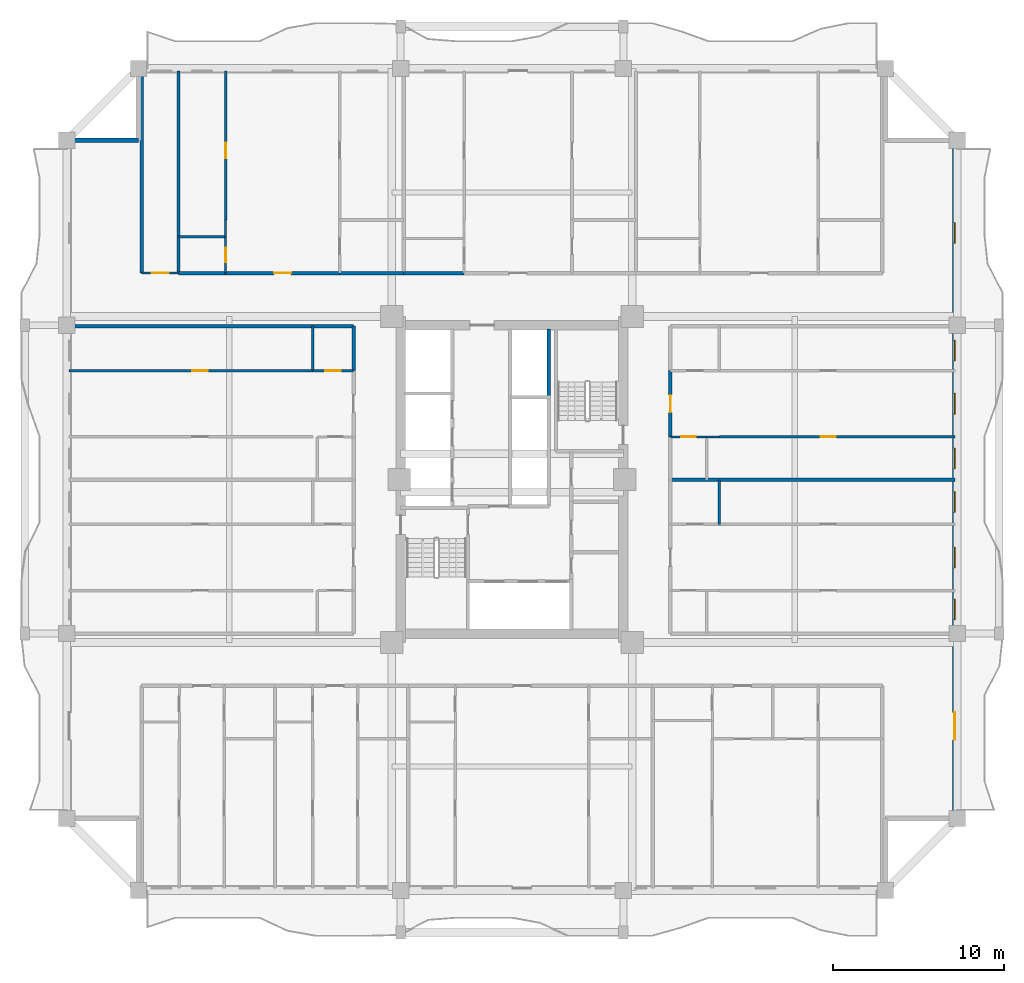
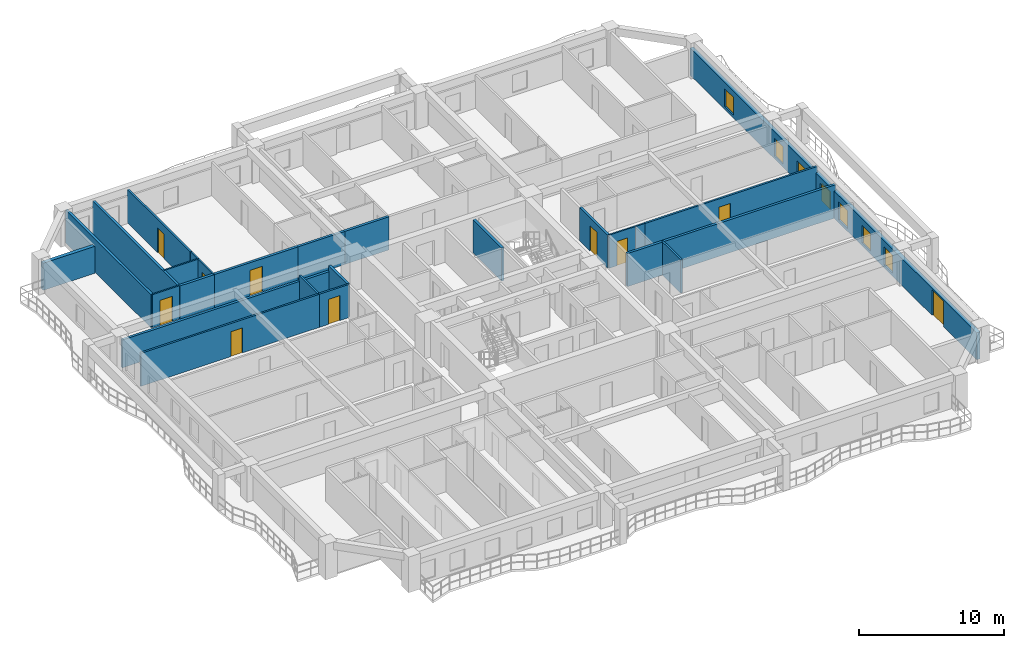
# One storey, part 6 of 15: 25 walls, 10 doors, 7 windows, 17 openings.
"""IFC4 building model written with IfcOpenShell, lengths in metres."""

from ifc_helpers import new_model, si_unit, direction, frame, frame_2d, origin, place, context, subcontext, project, spatial, rectangle, extrude, source, transform, mapped, material, layer, layer_set, type_object, element, fill, save


model = new_model("IFC4")

# Units and contexts
model_context = context("Model", 3, precision=1e-05, world=origin(), true_north=direction((0.0, 1.0)))
body_context = subcontext(model_context, "Body", "Model", "MODEL_VIEW")
ifc_project = project(units=[si_unit("LENGTHUNIT", "METRE"), si_unit("AREAUNIT", "SQUARE_METRE"), si_unit("VOLUMEUNIT", "CUBIC_METRE"), si_unit("PLANEANGLEUNIT", "RADIAN"), si_unit("MASSUNIT", "GRAM", prefix="KILO")], contexts=[model_context])

# Site, building, storey
site_placement = place(None, origin())
site = spatial("IfcSite", under=ifc_project, at=site_placement, CompositionType="ELEMENT")
building_placement = place(site_placement, origin())
building = spatial("IfcBuilding", under=site, at=building_placement, Name="Saelheon Loggia Tower", CompositionType="ELEMENT")
storey_placement = place(building_placement, frame((0.0, 0.0, 77.85009765625)))
storey = spatial("IfcBuildingStorey", under=building, at=storey_placement, Name="L24", CompositionType="ELEMENT", Elevation=77.85009765625)

# Wall, openings, windows, door
ifc_material_1 = material(Name="Architectural Precast Concrete C40/50", Category="concrete")
ifc_layer_1 = layer(ifc_material_1, 0.280029296875)
ifc_layer_set_1 = layer_set([ifc_layer_1], Name="Architectural Precast Concrete C40/50")
wall_type_1 = type_object("IfcWallType", Name="Wall_Ext_Loggia_280", PredefinedType="SOLIDWALL", material=ifc_layer_set_1)
wall_1_placement = place(storey_placement, frame((63.860107421875, 7.199951171875, 0.0), z_axis=(0.0, 0.0, 1.0), x_axis=(0.0, 1.0, 0.0)))
wall_1 = element("IfcWall", 1, at=wall_1_placement, inside=storey, type_object=wall_type_1, Name="L24 East Loggia Inner Wall", PredefinedType="SOLIDWALL", context=body_context, shape_type="SweptSolid", body=[
    extrude(rectangle(XDim=39.60009765625, YDim=0.280029296875, at=frame_2d((19.800048828125, 0.0))), origin(), (0.0, 0.0, 1.0), 2.27978515625),
])
opening_1_placement = place(wall_1_placement, frame((6.2001953125, 0.0, 0.0), z_axis=(0.0, 0.0, 1.0), x_axis=(-1.0, 0.0, 0.0)))
opening_1 = element("IfcOpeningElement", 2, at=opening_1_placement, cuts=wall_1, Name="Opening DLG-1", PredefinedType="OPENING", context=body_context, shape_type="SweptSolid", body=[
    extrude(rectangle(XDim=1.60009765625, YDim=2.14990234375, at=frame_2d((0.800048828125, 1.074951171875))), frame((0.0, 0.152099609375, 0.0), z_axis=(0.0, -1.0, 0.0), x_axis=(1.0, 0.0, 0.0)), (0.0, 0.0, 1.0), 0.303955078125),
])
opening_2_placement = place(wall_1_placement, frame((11.614013671875, 0.0, 0.25)))
opening_2 = element("IfcOpeningElement", 3, at=opening_2_placement, cuts=wall_1, Name="Opening WN-03", PredefinedType="OPENING", context=body_context, shape_type="SweptSolid", body=[
    extrude(rectangle(XDim=1.199951171875, YDim=1.5, at=frame_2d((0.60009765625, 0.75))), frame((0.0, 0.152099609375, 0.0), z_axis=(0.0, -1.0, 0.0), x_axis=(1.0, 0.0, 0.0)), (0.0, 0.0, 1.0), 0.303955078125),
])
opening_3_placement = place(wall_1_placement, frame((14.64404296875, 0.0, 0.25)))
opening_3 = element("IfcOpeningElement", 4, at=opening_3_placement, cuts=wall_1, Name="Opening WN-03", PredefinedType="OPENING", context=body_context, shape_type="SweptSolid", body=[
    extrude(rectangle(XDim=1.199951171875, YDim=1.5, at=frame_2d((0.60009765625, 0.75))), frame((0.0, 0.152099609375, 0.0), z_axis=(0.0, -1.0, 0.0), x_axis=(1.0, 0.0, 0.0)), (0.0, 0.0, 1.0), 0.303955078125),
])
opening_4_placement = place(wall_1_placement, frame((17.875, 0.0, 0.25)))
opening_4 = element("IfcOpeningElement", 5, at=opening_4_placement, cuts=wall_1, Name="Opening WN-03", PredefinedType="OPENING", context=body_context, shape_type="SweptSolid", body=[
    extrude(rectangle(XDim=1.199951171875, YDim=1.5, at=frame_2d((0.60009765625, 0.75))), frame((0.0, 0.152099609375, 0.0), z_axis=(0.0, -1.0, 0.0), x_axis=(1.0, 0.0, 0.0)), (0.0, 0.0, 1.0), 0.303955078125),
])
opening_5_placement = place(wall_1_placement, frame((20.431396484375, 0.0, 0.25)))
opening_5 = element("IfcOpeningElement", 6, at=opening_5_placement, cuts=wall_1, Name="Opening WN-03", PredefinedType="OPENING", context=body_context, shape_type="SweptSolid", body=[
    extrude(rectangle(XDim=1.199951171875, YDim=1.5, at=frame_2d((0.60009765625, 0.75))), frame((0.0, 0.152099609375, 0.0), z_axis=(0.0, -1.0, 0.0), x_axis=(1.0, 0.0, 0.0)), (0.0, 0.0, 1.0), 0.303955078125),
])
opening_6_placement = place(wall_1_placement, frame((23.618896484375, 0.0, 0.25)))
opening_6 = element("IfcOpeningElement", 7, at=opening_6_placement, cuts=wall_1, Name="Opening WN-03", PredefinedType="OPENING", context=body_context, shape_type="SweptSolid", body=[
    extrude(rectangle(XDim=1.199951171875, YDim=1.5, at=frame_2d((0.60009765625, 0.75))), frame((0.0, 0.152099609375, 0.0), z_axis=(0.0, -1.0, 0.0), x_axis=(1.0, 0.0, 0.0)), (0.0, 0.0, 1.0), 0.303955078125),
])
opening_7_placement = place(wall_1_placement, frame((26.717529296875, 0.0, 0.25)))
opening_7 = element("IfcOpeningElement", 8, at=opening_7_placement, cuts=wall_1, Name="Opening WN-03", PredefinedType="OPENING", context=body_context, shape_type="SweptSolid", body=[
    extrude(rectangle(XDim=1.199951171875, YDim=1.5, at=frame_2d((0.60009765625, 0.75))), frame((0.0, 0.152099609375, 0.0), z_axis=(0.0, -1.0, 0.0), x_axis=(1.0, 0.0, 0.0)), (0.0, 0.0, 1.0), 0.303955078125),
])
opening_8_placement = place(wall_1_placement, frame((33.60009765625, 0.0, 0.25)))
opening_8 = element("IfcOpeningElement", 9, at=opening_8_placement, cuts=wall_1, Name="Opening WN-03", PredefinedType="OPENING", context=body_context, shape_type="SweptSolid", body=[
    extrude(rectangle(XDim=1.199951171875, YDim=1.5, at=frame_2d((0.60009765625, 0.75))), frame((0.0, 0.152099609375, 0.0), z_axis=(0.0, -1.0, 0.0), x_axis=(1.0, 0.0, 0.0)), (0.0, 0.0, 1.0), 0.303955078125),
])
ifc_material_2 = material(Name="Thermal-Break Aluminium and Triple Low-E Glass", Category="aluminium")
window_type = type_object("IfcWindowType", Name="Win_Bedroom_1200x1500", PartitioningType="SINGLE_PANEL", PredefinedType="WINDOW", material=ifc_material_2)
shared_shape_1 = source(origin(), body_context, "Body", "SweptSolid", [
    extrude(rectangle(XDim=1.199951171875, YDim=1.5, at=frame_2d((0.60009765625, 0.75))), frame((0.0, 0.030029296875, 0.0), z_axis=(0.0, -1.0, 0.0), x_axis=(1.0, 0.0, 0.0)), (0.0, 0.0, 1.0), 0.06005859375),
])
window_1_placement = place(opening_2_placement, origin())
window_1 = element("IfcWindow", 10, at=window_1_placement, inside=storey, type_object=window_type, Name="L24 E Dwelling Window 2", OverallHeight=1.5, OverallWidth=1.199951171875, PartitioningType="SINGLE_PANEL", PredefinedType="WINDOW", context=body_context, shape_type="MappedRepresentation", body=[
    mapped(shared_shape_1, transform((0.0, 0.0, 0.0), scale=1.0)),
])
fill(opening_2, window_1)
window_2_placement = place(opening_3_placement, origin())
window_2 = element("IfcWindow", 11, at=window_2_placement, inside=storey, type_object=window_type, Name="L24 E Dwelling Window 3", OverallHeight=1.5, OverallWidth=1.199951171875, PartitioningType="SINGLE_PANEL", PredefinedType="WINDOW", context=body_context, shape_type="MappedRepresentation", body=[
    mapped(shared_shape_1, transform((0.0, 0.0, 0.0), scale=1.0)),
])
fill(opening_3, window_2)
window_3_placement = place(opening_4_placement, origin())
window_3 = element("IfcWindow", 12, at=window_3_placement, inside=storey, type_object=window_type, Name="L24 E Dwelling Window 4", OverallHeight=1.5, OverallWidth=1.199951171875, PartitioningType="SINGLE_PANEL", PredefinedType="WINDOW", context=body_context, shape_type="MappedRepresentation", body=[
    mapped(shared_shape_1, transform((0.0, 0.0, 0.0), scale=1.0)),
])
fill(opening_4, window_3)
window_4_placement = place(opening_5_placement, origin())
window_4 = element("IfcWindow", 13, at=window_4_placement, inside=storey, type_object=window_type, Name="L24 E Dwelling Window 5", OverallHeight=1.5, OverallWidth=1.199951171875, PartitioningType="SINGLE_PANEL", PredefinedType="WINDOW", context=body_context, shape_type="MappedRepresentation", body=[
    mapped(shared_shape_1, transform((0.0, 0.0, 0.0), scale=1.0)),
])
fill(opening_5, window_4)
window_5_placement = place(opening_6_placement, origin())
window_5 = element("IfcWindow", 14, at=window_5_placement, inside=storey, type_object=window_type, Name="L24 E Dwelling Window 6", OverallHeight=1.5, OverallWidth=1.199951171875, PartitioningType="SINGLE_PANEL", PredefinedType="WINDOW", context=body_context, shape_type="MappedRepresentation", body=[
    mapped(shared_shape_1, transform((0.0, 0.0, 0.0), scale=1.0)),
])
fill(opening_6, window_5)
window_6_placement = place(opening_7_placement, origin())
window_6 = element("IfcWindow", 15, at=window_6_placement, inside=storey, type_object=window_type, Name="L24 E Dwelling Window 7", OverallHeight=1.5, OverallWidth=1.199951171875, PartitioningType="SINGLE_PANEL", PredefinedType="WINDOW", context=body_context, shape_type="MappedRepresentation", body=[
    mapped(shared_shape_1, transform((0.0, 0.0, 0.0), scale=1.0)),
])
fill(opening_7, window_6)
window_7_placement = place(opening_8_placement, origin())
window_7 = element("IfcWindow", 16, at=window_7_placement, inside=storey, type_object=window_type, Name="L24 E Dwelling Window 8", OverallHeight=1.5, OverallWidth=1.199951171875, PartitioningType="SINGLE_PANEL", PredefinedType="WINDOW", context=body_context, shape_type="MappedRepresentation", body=[
    mapped(shared_shape_1, transform((0.0, 0.0, 0.0), scale=1.0)),
])
fill(opening_8, window_7)
ifc_material_3 = material(Name="Thermal-Break Aluminium Sliding Glazed Door", Category="aluminium")
door_type_1 = type_object("IfcDoorType", Name="Door_LoggiaSlide_1600", OperationType="SLIDING_TO_LEFT", PredefinedType="DOOR", material=ifc_material_3)
shared_shape_2 = source(origin(), body_context, "Body", "SweptSolid", [
    extrude(rectangle(XDim=1.60009765625, YDim=2.14990234375, at=frame_2d((0.800048828125, 1.074951171875))), frame((0.0, 0.02490234375, 0.0), z_axis=(0.0, -1.0, 0.0), x_axis=(1.0, 0.0, 0.0)), (0.0, 0.0, 1.0), 0.050048828125),
])
door_1_placement = place(opening_1_placement, origin())
door_1 = element("IfcDoor", 17, at=door_1_placement, inside=storey, type_object=door_type_1, Name="L24 E Loggia Access Door", OperationType="SLIDING_TO_LEFT", OverallHeight=2.14990234375, OverallWidth=1.60009765625, PredefinedType="DOOR", context=body_context, shape_type="MappedRepresentation", body=[
    mapped(shared_shape_2, transform((0.0, 0.0, 0.0), scale=1.0)),
])
fill(opening_1, door_1)

# Wall
wall_2_placement = place(storey_placement, frame((12.080078125, 46.800048828125, 0.0), z_axis=(0.0, 0.0, 1.0), x_axis=(1.0, 0.0, 0.0)))
element("IfcWall", 18, at=wall_2_placement, inside=storey, type_object=wall_type_1, Name="L24 Corner Notch Precast Wall NW2", PredefinedType="SOLIDWALL", context=body_context, shape_type="SweptSolid", body=[
    extrude(rectangle(XDim=4.119873046875, YDim=0.280029296875, at=frame_2d((2.06005859375, 0.0))), origin(), (0.0, 0.0, 1.0), 2.27978515625),
])

# Wall, opening, door
ifc_material_4 = material(Name="Lightweight Autoclaved Aerated Concrete Block and Acoustic Gypsum", Category="concrete")
ifc_layer_2 = layer(ifc_material_4, 0.14990234375)
ifc_layer_set_2 = layer_set([ifc_layer_2], Name="Lightweight Autoclaved Aerated Concrete Block and Acoustic Gypsum")
wall_type_2 = type_object("IfcWallType", Name="Wall_Part_150", PredefinedType="PARTITIONING", material=ifc_layer_set_2)
wall_3_placement = place(storey_placement, frame((21.280029296875, 42.14990234375, 0.0), z_axis=(0.0, 0.0, 1.0), x_axis=(0.0, 1.0, 0.0)))
wall_3 = element("IfcWall", 19, at=wall_3_placement, inside=storey, type_object=wall_type_2, Name="L24 N Partition U12", PredefinedType="PARTITIONING", context=body_context, shape_type="SweptSolid", body=[
    extrude(rectangle(XDim=8.7001953125, YDim=0.14990234375, at=frame_2d((4.35009765625, 0.0))), origin(), (0.0, 0.0, 1.0), 2.789794921875),
])
opening_9_placement = place(wall_3_placement, frame((3.594970703125, 0.0, 0.0)))
opening_9 = element("IfcOpeningElement", 20, at=opening_9_placement, cuts=wall_3, Name="Opening D-IN2", PredefinedType="OPENING", context=body_context, shape_type="SweptSolid", body=[
    extrude(rectangle(XDim=0.89990234375, YDim=2.10009765625, at=frame_2d((0.449951171875, 1.050048828125))), frame((0.0, 0.0869140625, 0.0), z_axis=(0.0, -1.0, 0.0), x_axis=(1.0, 0.0, 0.0)), (0.0, 0.0, 1.0), 0.173828125),
])
ifc_material_5 = material(Name="Engineered Oak Flush Door", Category="timber")
door_type_2 = type_object("IfcDoorType", Name="Door_Int_900", OperationType="NOTDEFINED", PredefinedType="DOOR", material=ifc_material_5)
shared_shape_3 = source(origin(), body_context, "Body", "SweptSolid", [
    extrude(rectangle(XDim=0.89990234375, YDim=2.10009765625, at=frame_2d((0.449951171875, 1.050048828125))), frame((0.0, 0.02490234375, 0.0), z_axis=(0.0, -1.0, 0.0), x_axis=(1.0, 0.0, 0.0)), (0.0, 0.0, 1.0), 0.050048828125),
])
door_2_placement = place(opening_9_placement, origin())
door_2 = element("IfcDoor", 21, at=door_2_placement, inside=storey, type_object=door_type_2, Name="Unit U05 Kitchen Door", OperationType="SINGLE_SWING_LEFT", OverallHeight=2.10009765625, OverallWidth=0.89990234375, PredefinedType="DOOR", context=body_context, shape_type="MappedRepresentation", body=[
    mapped(shared_shape_3, transform((0.0, 0.0, 0.0), scale=1.0)),
])
fill(opening_9, door_2)

# Wall
wall_4_placement = place(storey_placement, frame((26.3701171875, 33.35009765625, 0.0), z_axis=(0.0, 0.0, 1.0), x_axis=(0.0, 1.0, 0.0)))
element("IfcWall", 22, at=wall_4_placement, inside=storey, type_object=wall_type_2, Name="L24 W Partition V17", PredefinedType="PARTITIONING", context=body_context, shape_type="SweptSolid", body=[
    extrude(rectangle(XDim=2.599853515625, YDim=0.14990234375, at=frame_2d((1.2998046875, 0.0))), origin(), (0.0, 0.0, 1.0), 2.789794921875),
])

# Wall, opening, door
wall_5_placement = place(storey_placement, frame((28.75, 33.35009765625, 0.0), z_axis=(0.0, 0.0, 1.0), x_axis=(-1.0, 0.0, 0.0)))
wall_5 = element("IfcWall", 23, at=wall_5_placement, inside=storey, type_object=wall_type_2, Name="L24 W Partition U20", PredefinedType="PARTITIONING", context=body_context, shape_type="SweptSolid", body=[
    extrude(rectangle(XDim=2.3798828125, YDim=0.14990234375, at=frame_2d((1.18994140625, 0.0))), origin(), (0.0, 0.0, 1.0), 2.789794921875),
])
opening_10_placement = place(wall_5_placement, frame((0.739990234375, 0.0, 0.0)))
opening_10 = element("IfcOpeningElement", 24, at=opening_10_placement, cuts=wall_5, Name="Opening D-IN2", PredefinedType="OPENING", context=body_context, shape_type="SweptSolid", body=[
    extrude(rectangle(XDim=0.89990234375, YDim=2.10009765625, at=frame_2d((0.449951171875, 1.050048828125))), frame((0.0, 0.0869140625, 0.0), z_axis=(0.0, -1.0, 0.0), x_axis=(1.0, 0.0, 0.0)), (0.0, 0.0, 1.0), 0.173828125),
])
door_3_placement = place(opening_10_placement, origin())
door_3 = element("IfcDoor", 25, at=door_3_placement, inside=storey, type_object=door_type_2, Name="Unit U09 Dressing Closet Door", OperationType="SINGLE_SWING_RIGHT", OverallHeight=2.10009765625, OverallWidth=0.89990234375, PredefinedType="DOOR", context=body_context, shape_type="MappedRepresentation", body=[
    mapped(shared_shape_3, transform((0.0, 0.0, 0.0), scale=1.0)),
])
fill(opening_10, door_3)

wall_6_placement = place(storey_placement, frame((26.3701171875, 33.35009765625, 0.0), z_axis=(0.0, 0.0, 1.0), x_axis=(-1.0, 0.0, 0.0)))
wall_6 = element("IfcWall", 26, at=wall_6_placement, inside=storey, type_object=wall_type_2, Name="L24 W Partition U21", PredefinedType="PARTITIONING", context=body_context, shape_type="SweptSolid", body=[
    extrude(rectangle(XDim=14.22021484375, YDim=0.14990234375, at=frame_2d((7.110107421875, 0.0))), origin(), (0.0, 0.0, 1.0), 2.789794921875),
])
opening_11_placement = place(wall_6_placement, frame((6.125, 0.0, 0.0)))
opening_11 = element("IfcOpeningElement", 27, at=opening_11_placement, cuts=wall_6, Name="Opening D-IN2", PredefinedType="OPENING", context=body_context, shape_type="SweptSolid", body=[
    extrude(rectangle(XDim=0.89990234375, YDim=2.10009765625, at=frame_2d((0.449951171875, 1.050048828125))), frame((0.0, 0.0869140625, 0.0), z_axis=(0.0, -1.0, 0.0), x_axis=(1.0, 0.0, 0.0)), (0.0, 0.0, 1.0), 0.173828125),
])
door_4_placement = place(opening_11_placement, origin())
door_4 = element("IfcDoor", 28, at=door_4_placement, inside=storey, type_object=door_type_2, Name="Unit U09 Bedroom 1 Door", OperationType="SINGLE_SWING_LEFT", OverallHeight=2.10009765625, OverallWidth=0.89990234375, PredefinedType="DOOR", context=body_context, shape_type="MappedRepresentation", body=[
    mapped(shared_shape_3, transform((0.0, 0.0, 0.0), scale=1.0)),
])
fill(opening_11, door_4)

# Wall
wall_7_placement = place(storey_placement, frame((50.110107421875, 24.375, 0.0), z_axis=(0.0, 0.0, 1.0), x_axis=(0.0, 1.0, 0.0)))
element("IfcWall", 29, at=wall_7_placement, inside=storey, type_object=wall_type_2, Name="L24 E Partition V07", PredefinedType="PARTITIONING", context=body_context, shape_type="SweptSolid", body=[
    extrude(rectangle(XDim=2.60009765625, YDim=0.14990234375, at=frame_2d((1.300048828125, 0.0))), origin(), (0.0, 0.0, 1.0), 2.789794921875),
])

# Wall, opening, door
wall_8_placement = place(storey_placement, frame((50.110107421875, 29.488037109375, 0.0), z_axis=(0.0, 0.0, 1.0), x_axis=(1.0, 0.0, 0.0)))
wall_8 = element("IfcWall", 30, at=wall_8_placement, inside=storey, type_object=wall_type_2, Name="L24 E Partition U21", PredefinedType="PARTITIONING", context=body_context, shape_type="SweptSolid", body=[
    extrude(rectangle(XDim=13.739990234375, YDim=0.14990234375, at=frame_2d((6.8701171875, 0.0))), origin(), (0.0, 0.0, 1.0), 2.789794921875),
])
opening_12_placement = place(wall_8_placement, frame((5.905029296875, 0.0, 0.0)))
opening_12 = element("IfcOpeningElement", 31, at=opening_12_placement, cuts=wall_8, Name="Opening D-IN2", PredefinedType="OPENING", context=body_context, shape_type="SweptSolid", body=[
    extrude(rectangle(XDim=0.89990234375, YDim=2.10009765625, at=frame_2d((0.449951171875, 1.050048828125))), frame((0.0, 0.0869140625, 0.0), z_axis=(0.0, -1.0, 0.0), x_axis=(1.0, 0.0, 0.0)), (0.0, 0.0, 1.0), 0.173828125),
])
door_5_placement = place(opening_12_placement, origin())
door_5 = element("IfcDoor", 32, at=door_5_placement, inside=storey, type_object=door_type_2, Name="Unit U11 Kitchen Door", OperationType="SINGLE_SWING_LEFT", OverallHeight=2.10009765625, OverallWidth=0.89990234375, PredefinedType="DOOR", context=body_context, shape_type="MappedRepresentation", body=[
    mapped(shared_shape_3, transform((0.0, 0.0, 0.0), scale=1.0)),
])
fill(opening_12, door_5)

# Walls
ifc_material_6 = material(Name="Double Acoustic Stud and Fireboard Partition", Category="gypsum")
ifc_layer_3 = layer(ifc_material_6, 0.199951171875)
ifc_layer_set_3 = layer_set([ifc_layer_3], Name="Double Acoustic Stud and Fireboard Partition")
wall_type_3 = type_object("IfcWallType", Name="Wall_Party_200", PredefinedType="PARTITIONING", material=ifc_layer_set_3)
for number, where, z_axis, x_axis, name in (
    (33, (16.3798828125, 39.050048828125, 0.0), (0.0, 0.0, 1.0), (0.0, 1.0, 0.0), "L24 N Partition U01"),
    (34, (18.530029296875, 39.050048828125, 0.0), (0.0, 0.0, 1.0), (0.0, 1.0, 0.0), "L24 N Partition U03"),
):
    element("IfcWall", number, at=place(storey_placement, frame(where, z_axis=z_axis, x_axis=x_axis)), inside=storey, type_object=wall_type_3, Name=name, PredefinedType="PARTITIONING", context=body_context, shape_type="SweptSolid", body=[
        extrude(rectangle(XDim=11.800048828125, YDim=0.199951171875, at=frame_2d((5.89990234375, 0.0))), origin(), (0.0, 0.0, 1.0), 2.789794921875),
    ])
wall_9_placement = place(storey_placement, frame((18.530029296875, 39.050048828125, 0.0), z_axis=(0.0, 0.0, 1.0), x_axis=(1.0, 0.0, 0.0)))
element("IfcWall", 35, at=wall_9_placement, inside=storey, type_object=wall_type_3, Name="L24 N Partition V05", PredefinedType="PARTITIONING", context=body_context, shape_type="SweptSolid", body=[
    extrude(rectangle(XDim=2.75, YDim=0.199951171875, at=frame_2d((1.375, 0.0))), origin(), (0.0, 0.0, 1.0), 2.789794921875),
])

# Wall, opening, door
wall_10_placement = place(storey_placement, frame((21.280029296875, 39.050048828125, 0.0), z_axis=(0.0, 0.0, 1.0), x_axis=(1.0, 0.0, 0.0)))
wall_10 = element("IfcWall", 36, at=wall_10_placement, inside=storey, type_object=wall_type_3, Name="L24 N Partition V06", PredefinedType="PARTITIONING", context=body_context, shape_type="SweptSolid", body=[
    extrude(rectangle(XDim=6.6630859375, YDim=0.199951171875, at=frame_2d((3.33154296875, 0.0))), origin(), (0.0, 0.0, 1.0), 2.789794921875),
])
opening_13_placement = place(wall_10_placement, frame((2.83154296875, 0.0, 0.0)))
opening_13 = element("IfcOpeningElement", 37, at=opening_13_placement, cuts=wall_10, Name="Opening D-FD1", PredefinedType="OPENING", context=body_context, shape_type="SweptSolid", body=[
    extrude(rectangle(XDim=1.0, YDim=2.14990234375, at=frame_2d((0.5, 1.074951171875))), frame((0.0, 0.112060546875, 0.0), z_axis=(0.0, -1.0, 0.0), x_axis=(1.0, 0.0, 0.0)), (0.0, 0.0, 1.0), 0.223876953125),
])
ifc_material_7 = material(Name="Fire-Rated Engineered Timber Entrance Door", Category="wood")
door_type_3 = type_object("IfcDoorType", Name="Door_Flat_FD30S", OperationType="NOTDEFINED", PredefinedType="DOOR", material=ifc_material_7)
shared_shape_4 = source(origin(), body_context, "Body", "SweptSolid", [
    extrude(rectangle(XDim=1.0, YDim=2.14990234375, at=frame_2d((0.5, 1.074951171875))), frame((0.0, 0.02490234375, 0.0), z_axis=(0.0, -1.0, 0.0), x_axis=(1.0, 0.0, 0.0)), (0.0, 0.0, 1.0), 0.050048828125),
])
door_6_placement = place(opening_13_placement, origin())
door_6 = element("IfcDoor", 38, at=door_6_placement, inside=storey, type_object=door_type_3, Name="Unit U05 Entrance Door", OperationType="SINGLE_SWING_LEFT", OverallHeight=2.14990234375, OverallWidth=1.0, PredefinedType="DOOR", context=body_context, shape_type="MappedRepresentation", body=[
    mapped(shared_shape_4, transform((0.0, 0.0, 0.0), scale=1.0)),
])
fill(opening_13, door_6)

# Walls
wall_11_placement = place(storey_placement, frame((27.943115234375, 39.050048828125, 0.0), z_axis=(0.0, 0.0, 1.0), x_axis=(1.0, 0.0, 0.0)))
element("IfcWall", 39, at=wall_11_placement, inside=storey, type_object=wall_type_3, Name="L24 N Partition V07", PredefinedType="PARTITIONING", context=body_context, shape_type="SweptSolid", body=[
    extrude(rectangle(XDim=3.735595703125, YDim=0.199951171875, at=frame_2d((1.86767578125, 0.0))), origin(), (0.0, 0.0, 1.0), 2.789794921875),
])
wall_12_placement = place(storey_placement, frame((31.6787109375, 39.050048828125, 0.0), z_axis=(0.0, 0.0, 1.0), x_axis=(1.0, 0.0, 0.0)))
element("IfcWall", 40, at=wall_12_placement, inside=storey, type_object=wall_type_3, Name="L24 N Partition V16", PredefinedType="PARTITIONING", context=body_context, shape_type="SweptSolid", body=[
    extrude(rectangle(XDim=3.525634765625, YDim=0.199951171875, at=frame_2d((1.7626953125, 0.0))), origin(), (0.0, 0.0, 1.0), 2.789794921875),
])
wall_13_placement = place(storey_placement, frame((28.75, 35.949951171875, 0.0), z_axis=(0.0, 0.0, 1.0), x_axis=(-1.0, 0.0, 0.0)))
element("IfcWall", 41, at=wall_13_placement, inside=storey, type_object=wall_type_3, Name="L24 W Partition U02", PredefinedType="PARTITIONING", context=body_context, shape_type="SweptSolid", body=[
    extrude(rectangle(XDim=16.60009765625, YDim=0.199951171875, at=frame_2d((8.300048828125, 0.0))), origin(), (0.0, 0.0, 1.0), 2.33984375),
])
wall_14_placement = place(storey_placement, frame((28.75, 33.35009765625, 0.0), z_axis=(0.0, 0.0, 1.0), x_axis=(0.0, 1.0, 0.0)))
element("IfcWall", 42, at=wall_14_placement, inside=storey, type_object=wall_type_3, Name="L24 W Partition V15", PredefinedType="PARTITIONING", context=body_context, shape_type="SweptSolid", body=[
    extrude(rectangle(XDim=2.599853515625, YDim=0.199951171875, at=frame_2d((1.2998046875, 0.0))), origin(), (0.0, 0.0, 1.0), 2.789794921875),
])
wall_15_placement = place(storey_placement, frame((47.25, 26.97509765625, 0.0), z_axis=(0.0, 0.0, 1.0), x_axis=(1.0, 0.0, 0.0)))
element("IfcWall", 43, at=wall_15_placement, inside=storey, type_object=wall_type_3, Name="L24 E Partition U13", PredefinedType="PARTITIONING", context=body_context, shape_type="SweptSolid", body=[
    extrude(rectangle(XDim=16.60009765625, YDim=0.199951171875, at=frame_2d((8.300048828125, 0.0))), origin(), (0.0, 0.0, 1.0), 2.789794921875),
])

# Wall, opening, door
wall_16_placement = place(storey_placement, frame((47.25, 29.488037109375, 0.0), z_axis=(0.0, 0.0, 1.0), x_axis=(0.0, 1.0, 0.0)))
wall_16 = element("IfcWall", 44, at=wall_16_placement, inside=storey, type_object=wall_type_3, Name="L24 E Partition V15", PredefinedType="PARTITIONING", context=body_context, shape_type="SweptSolid", body=[
    extrude(rectangle(XDim=3.862060546875, YDim=0.199951171875, at=frame_2d((1.93115234375, 0.0))), origin(), (0.0, 0.0, 1.0), 2.789794921875),
])
opening_14_placement = place(wall_16_placement, frame((1.430908203125, 0.0, 0.0)))
opening_14 = element("IfcOpeningElement", 45, at=opening_14_placement, cuts=wall_16, Name="Opening D-FD1", PredefinedType="OPENING", context=body_context, shape_type="SweptSolid", body=[
    extrude(rectangle(XDim=1.0, YDim=2.14990234375, at=frame_2d((0.5, 1.074951171875))), frame((0.0, 0.112060546875, 0.0), z_axis=(0.0, -1.0, 0.0), x_axis=(1.0, 0.0, 0.0)), (0.0, 0.0, 1.0), 0.223876953125),
])
door_7_placement = place(opening_14_placement, origin())
door_7 = element("IfcDoor", 46, at=door_7_placement, inside=storey, type_object=door_type_3, Name="Unit U11 Entrance Door", OperationType="SINGLE_SWING_LEFT", OverallHeight=2.14990234375, OverallWidth=1.0, PredefinedType="DOOR", context=body_context, shape_type="MappedRepresentation", body=[
    mapped(shared_shape_4, transform((0.0, 0.0, 0.0), scale=1.0)),
])
fill(opening_14, door_7)

# Wall
ifc_material_8 = material(Name="Concrete C40/50", Category="concrete")
ifc_layer_4 = layer(ifc_material_8, 0.199951171875)
ifc_layer_set_4 = layer_set([ifc_layer_4], Name="Concrete C40/50")
wall_type_4 = type_object("IfcWallType", Name="Wall_Shaft_200", PredefinedType="PARTITIONING", material=ifc_layer_set_4)
wall_17_placement = place(storey_placement, frame((40.14990234375, 31.800048828125, 0.0), z_axis=(0.0, 0.0, 1.0), x_axis=(0.0, 1.0, 0.0)))
element("IfcWall", 47, at=wall_17_placement, inside=storey, type_object=wall_type_4, Name="L24 East High-Rise Hoistway East Wall", PredefinedType="PARTITIONING", context=body_context, shape_type="SweptSolid", body=[
    extrude(rectangle(XDim=3.97998046875, YDim=0.199951171875, at=frame_2d((1.989990234375, 0.0))), origin(), (0.0, 0.0, 1.0), 2.789794921875),
])

# Wall, opening, door
ifc_material_9 = material(Name="Moisture-Resistant Cement Board Partition", Category="gypsum")
ifc_layer_5 = layer(ifc_material_9, 0.1201171875)
ifc_layer_set_5 = layer_set([ifc_layer_5], Name="Moisture-Resistant Cement Board Partition")
wall_type_5 = type_object("IfcWallType", Name="Wall_WetPart_120", PredefinedType="PARTITIONING", material=ifc_layer_set_5)
wall_18_placement = place(storey_placement, frame((16.3798828125, 39.050048828125, 0.0), z_axis=(0.0, 0.0, 1.0), x_axis=(1.0, 0.0, 0.0)))
wall_18 = element("IfcWall", 48, at=wall_18_placement, inside=storey, type_object=wall_type_5, Name="L24 N Partition V04", PredefinedType="PARTITIONING", context=body_context, shape_type="SweptSolid", body=[
    extrude(rectangle(XDim=2.150146484375, YDim=0.1201171875, at=frame_2d((1.0751953125, 0.0))), origin(), (0.0, 0.0, 1.0), 2.789794921875),
])
opening_15_placement = place(wall_18_placement, frame((0.574951171875, 0.0, 0.0)))
opening_15 = element("IfcOpeningElement", 49, at=opening_15_placement, cuts=wall_18, Name="Opening D-AC1", PredefinedType="OPENING", context=body_context, shape_type="SweptSolid", body=[
    extrude(rectangle(XDim=1.0, YDim=2.10009765625, at=frame_2d((0.5, 1.050048828125))), frame((0.0, 0.072021484375, 0.0), z_axis=(0.0, -1.0, 0.0), x_axis=(1.0, 0.0, 0.0)), (0.0, 0.0, 1.0), 0.14404296875),
])
ifc_material_10 = material(Name="Accessible Laminate Flush Door", Category="timber")
door_type_4 = type_object("IfcDoorType", Name="Door_Acc_1000", OperationType="NOTDEFINED", PredefinedType="DOOR", material=ifc_material_10)
shared_shape_5 = source(origin(), body_context, "Body", "SweptSolid", [
    extrude(rectangle(XDim=1.0, YDim=2.10009765625, at=frame_2d((0.5, 1.050048828125))), frame((0.0, 0.02490234375, 0.0), z_axis=(0.0, -1.0, 0.0), x_axis=(1.0, 0.0, 0.0)), (0.0, 0.0, 1.0), 0.050048828125),
])
door_8_placement = place(opening_15_placement, origin())
door_8 = element("IfcDoor", 50, at=door_8_placement, inside=storey, type_object=door_type_4, Name="L24 Floor Accessible WC Door", OperationType="SINGLE_SWING_RIGHT", OverallHeight=2.10009765625, OverallWidth=1.0, PredefinedType="DOOR", context=body_context, shape_type="MappedRepresentation", body=[
    mapped(shared_shape_5, transform((0.0, 0.0, 0.0), scale=1.0)),
])
fill(opening_15, door_8)

# Wall
wall_19_placement = place(storey_placement, frame((18.530029296875, 41.169921875, 0.0), z_axis=(0.0, 0.0, 1.0), x_axis=(1.0, 0.0, 0.0)))
element("IfcWall", 51, at=wall_19_placement, inside=storey, type_object=wall_type_5, Name="L24 N Partition V08", PredefinedType="PARTITIONING", context=body_context, shape_type="SweptSolid", body=[
    extrude(rectangle(XDim=2.75, YDim=0.1201171875, at=frame_2d((1.375, 0.0))), origin(), (0.0, 0.0, 1.0), 2.789794921875),
])

# Wall, opening, door
wall_20_placement = place(storey_placement, frame((21.280029296875, 39.050048828125, 0.0), z_axis=(0.0, 0.0, 1.0), x_axis=(0.0, 1.0, 0.0)))
wall_20 = element("IfcWall", 52, at=wall_20_placement, inside=storey, type_object=wall_type_5, Name="L24 N Partition U10", PredefinedType="PARTITIONING", context=body_context, shape_type="SweptSolid", body=[
    extrude(rectangle(XDim=2.119873046875, YDim=0.1201171875, at=frame_2d((1.06005859375, 0.0))), origin(), (0.0, 0.0, 1.0), 2.789794921875),
])
opening_16_placement = place(wall_20_placement, frame((0.635009765625, 0.0, 0.0)))
opening_16 = element("IfcOpeningElement", 53, at=opening_16_placement, cuts=wall_20, Name="Opening D-BT1", PredefinedType="OPENING", context=body_context, shape_type="SweptSolid", body=[
    extrude(rectangle(XDim=0.85009765625, YDim=2.050048828125, at=frame_2d((0.425048828125, 1.02490234375))), frame((0.0, 0.072021484375, 0.0), z_axis=(0.0, -1.0, 0.0), x_axis=(1.0, 0.0, 0.0)), (0.0, 0.0, 1.0), 0.14404296875),
])
ifc_material_11 = material(Name="Moisture-Resistant Laminate Timber Door", Category="wood")
door_type_5 = type_object("IfcDoorType", Name="Door_Bath_850", OperationType="NOTDEFINED", PredefinedType="DOOR", material=ifc_material_11)
shared_shape_6 = source(origin(), body_context, "Body", "SweptSolid", [
    extrude(rectangle(XDim=0.85009765625, YDim=2.050048828125, at=frame_2d((0.425048828125, 1.02490234375))), frame((0.0, 0.02490234375, 0.0), z_axis=(0.0, -1.0, 0.0), x_axis=(1.0, 0.0, 0.0)), (0.0, 0.0, 1.0), 0.050048828125),
])
door_9_placement = place(opening_16_placement, origin())
door_9 = element("IfcDoor", 54, at=door_9_placement, inside=storey, type_object=door_type_5, Name="Unit U05 Bathroom Door", OperationType="SINGLE_SWING_RIGHT", OverallHeight=2.050048828125, OverallWidth=0.85009765625, PredefinedType="DOOR", context=body_context, shape_type="MappedRepresentation", body=[
    mapped(shared_shape_6, transform((0.0, 0.0, 0.0), scale=1.0)),
])
fill(opening_16, door_9)

# Wall
wall_21_placement = place(storey_placement, frame((21.280029296875, 41.169921875, 0.0), z_axis=(0.0, 0.0, 1.0), x_axis=(0.0, 1.0, 0.0)))
element("IfcWall", 55, at=wall_21_placement, inside=storey, type_object=wall_type_5, Name="L24 N Partition U11", PredefinedType="PARTITIONING", context=body_context, shape_type="SweptSolid", body=[
    extrude(rectangle(XDim=0.97998046875, YDim=0.1201171875, at=frame_2d((0.489990234375, 0.0))), origin(), (0.0, 0.0, 1.0), 2.789794921875),
])

# Wall, opening, door
wall_22_placement = place(storey_placement, frame((47.25, 29.488037109375, 0.0), z_axis=(0.0, 0.0, 1.0), x_axis=(1.0, 0.0, 0.0)))
wall_22 = element("IfcWall", 56, at=wall_22_placement, inside=storey, type_object=wall_type_5, Name="L24 E Partition U19", PredefinedType="PARTITIONING", context=body_context, shape_type="SweptSolid", body=[
    extrude(rectangle(XDim=2.1201171875, YDim=0.1201171875, at=frame_2d((1.06005859375, 0.0))), origin(), (0.0, 0.0, 1.0), 2.789794921875),
])
opening_17_placement = place(wall_22_placement, frame((0.635009765625, 0.0, 0.0)))
opening_17 = element("IfcOpeningElement", 57, at=opening_17_placement, cuts=wall_22, Name="Opening D-BT1", PredefinedType="OPENING", context=body_context, shape_type="SweptSolid", body=[
    extrude(rectangle(XDim=0.85009765625, YDim=2.050048828125, at=frame_2d((0.425048828125, 1.02490234375))), frame((0.0, 0.072021484375, 0.0), z_axis=(0.0, -1.0, 0.0), x_axis=(1.0, 0.0, 0.0)), (0.0, 0.0, 1.0), 0.14404296875),
])
door_10_placement = place(opening_17_placement, origin())
door_10 = element("IfcDoor", 58, at=door_10_placement, inside=storey, type_object=door_type_5, Name="Unit U11 Bathroom Door", OperationType="SINGLE_SWING_RIGHT", OverallHeight=2.050048828125, OverallWidth=0.85009765625, PredefinedType="DOOR", context=body_context, shape_type="MappedRepresentation", body=[
    mapped(shared_shape_6, transform((0.0, 0.0, 0.0), scale=1.0)),
])
fill(opening_17, door_10)

# Wall
wall_23_placement = place(storey_placement, frame((49.3701171875, 29.488037109375, 0.0), z_axis=(0.0, 0.0, 1.0), x_axis=(1.0, 0.0, 0.0)))
element("IfcWall", 59, at=wall_23_placement, inside=storey, type_object=wall_type_5, Name="L24 E Partition U20", PredefinedType="PARTITIONING", context=body_context, shape_type="SweptSolid", body=[
    extrude(rectangle(XDim=0.739990234375, YDim=0.1201171875, at=frame_2d((0.3701171875, 0.0))), origin(), (0.0, 0.0, 1.0), 2.789794921875),
])

save(model, "model.ifc")
